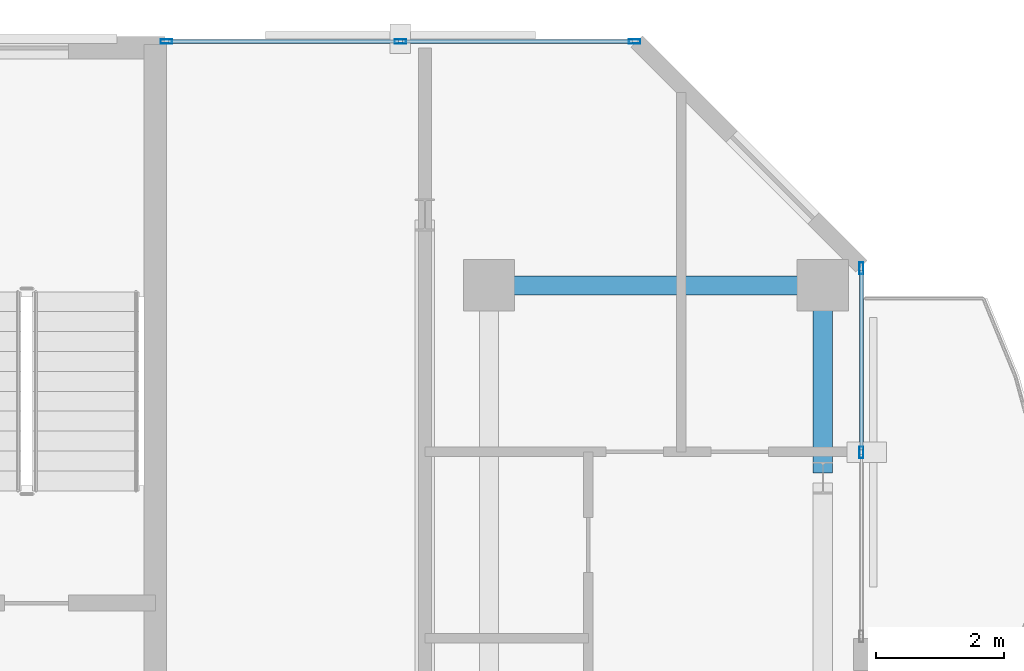
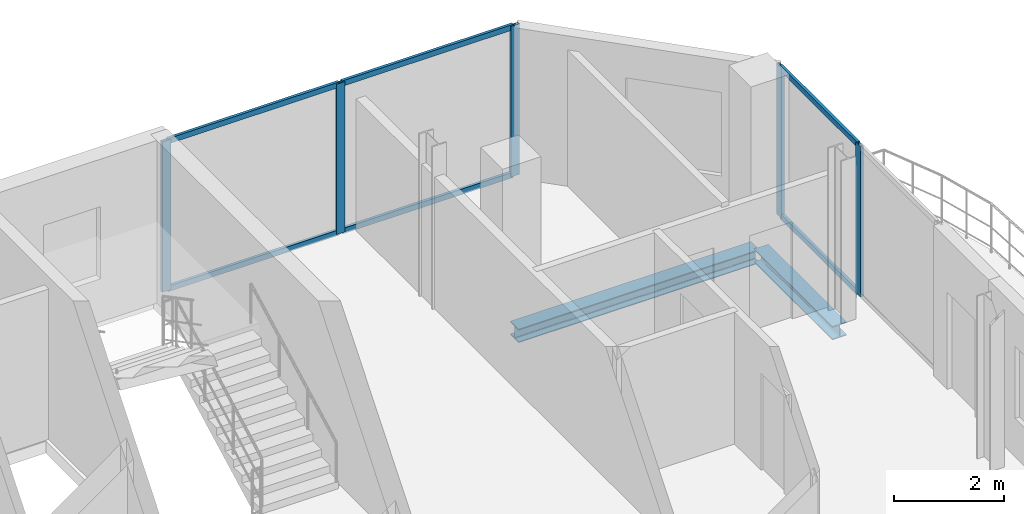
# One storey, part 16 of 23: 11 members, 2 beams, 2 elements without a shape of their own.
"""IFC4 building model written with IfcOpenShell, lengths in metres."""

from ifc_helpers import new_model, si_unit, direction, frame, origin, origin_2d, place, context, subcontext, project, spatial, hollow_rectangle, i_section, extrude, material, layer, layer_set, material_profile, profile_set, type_object, element, aggregate, save


model = new_model("IFC4")

# Units and contexts
model_context = context("Model", 3, precision=1e-05, world=origin(), true_north=direction((0.0, 1.0)))
body_context = subcontext(model_context, "Body", "Model", "MODEL_VIEW")
ifc_project = project(units=[si_unit("LENGTHUNIT", "METRE"), si_unit("AREAUNIT", "SQUARE_METRE"), si_unit("VOLUMEUNIT", "CUBIC_METRE"), si_unit("PLANEANGLEUNIT", "RADIAN"), si_unit("MASSUNIT", "GRAM", prefix="KILO")], contexts=[model_context])

# Site, building, storey
site_placement = place(None, origin())
site = spatial("IfcSite", under=ifc_project, at=site_placement, CompositionType="ELEMENT")
building_placement = place(site_placement, origin())
building = spatial("IfcBuilding", under=site, at=building_placement, Name="Catumbela Crestline Tower", CompositionType="ELEMENT")
storey_placement = place(building_placement, frame((0.0, 0.0, 175.8)))
storey = spatial("IfcBuildingStorey", under=building, at=storey_placement, Name="L45", CompositionType="ELEMENT", Elevation=175.8)

# Curtain wall, members
ifc_material_1 = material(Name="Aluminium alloy AW-6060-T66", Category="aluminium")
ifc_layer = layer(ifc_material_1, 0.18, Name="Aluminium alloy AW-6060-T66")
ifc_layer_set = layer_set([ifc_layer], Name="Aluminium alloy AW-6060-T66")
curtain_wall_type = type_object("IfcCurtainWallType", Name="CWU-Z3", PredefinedType="USERDEFINED", material=ifc_layer_set)
curtain_wall_1_placement = place(storey_placement, origin())
curtain_wall_1 = element("IfcCurtainWall", 1, at=curtain_wall_1_placement, inside=storey, type_object=curtain_wall_type, Name="L45 Unitised Curtain Wall CW-L45-E5S2", ObjectType="UNITISED", PredefinedType="USERDEFINED")
ifc_material_profile_1 = material_profile(ifc_material_1, hollow_rectangle(XDim=0.065, YDim=0.18, WallThickness=0.004, at=origin_2d()), Name="ALU 180x65x4")
ifc_profile_set_1 = profile_set([ifc_material_profile_1], Name="Aluminium alloy AW-6060-T66")
member_type_1 = type_object("IfcMemberType", Name="MUL-180X65", PredefinedType="MULLION", material=ifc_profile_set_1)
member_1_placement = place(storey_placement, frame((51.0, 36.6, 0.0), z_axis=(0.0, 0.0, 1.0), x_axis=(-1.0, 0.0, 0.0)))
member_1 = element("IfcMember", 2, at=member_1_placement, type_object=member_type_1, Name="CWU-Z3 mullion 2", PredefinedType="MULLION", context=body_context, shape_type="SweptSolid", body=[
    extrude(hollow_rectangle(XDim=0.065, YDim=0.18, WallThickness=0.004, at=origin_2d()), origin(), (0.0, 0.0, 1.0), 3.33),
])
member_2_placement = place(storey_placement, frame((51.0, 39.4675, 0.0), z_axis=(0.0, 0.0, 1.0), x_axis=(-1.0, 0.0, 0.0)))
member_2 = element("IfcMember", 3, at=member_2_placement, type_object=member_type_1, Name="CWU-Z3 mullion 3", PredefinedType="MULLION", context=body_context, shape_type="SweptSolid", body=[
    extrude(hollow_rectangle(XDim=0.065, YDim=0.18, WallThickness=0.004, at=origin_2d()), origin(), (0.0, 0.0, 1.0), 3.33),
])

curtain_wall_2_placement = place(storey_placement, origin())
curtain_wall_2 = element("IfcCurtainWall", 4, at=curtain_wall_2_placement, inside=storey, type_object=curtain_wall_type, Name="L45 Unitised Curtain Wall CW-L45-E7S1", ObjectType="UNITISED", PredefinedType="USERDEFINED")
member_3_placement = place(storey_placement, frame((47.4675, 43.0, 0.0), z_axis=(0.0, 0.0, 1.0), x_axis=(0.0, -1.0, 0.0)))
member_3 = element("IfcMember", 5, at=member_3_placement, type_object=member_type_1, Name="CWU-Z3 mullion 1", PredefinedType="MULLION", context=body_context, shape_type="SweptSolid", body=[
    extrude(hollow_rectangle(XDim=0.065, YDim=0.18, WallThickness=0.004, at=origin_2d()), origin(), (0.0, 0.0, 1.0), 3.33),
])
member_4_placement = place(storey_placement, frame((43.82, 43.0, 0.0), z_axis=(0.0, 0.0, 1.0), x_axis=(0.0, -1.0, 0.0)))
member_4 = element("IfcMember", 6, at=member_4_placement, type_object=member_type_1, Name="CWU-Z3 mullion 2", PredefinedType="MULLION", context=body_context, shape_type="SweptSolid", body=[
    extrude(hollow_rectangle(XDim=0.065, YDim=0.18, WallThickness=0.004, at=origin_2d()), origin(), (0.0, 0.0, 1.0), 3.33),
])
member_5_placement = place(storey_placement, frame((40.1725, 43.0, 0.0), z_axis=(0.0, 0.0, 1.0), x_axis=(0.0, -1.0, 0.0)))
member_5 = element("IfcMember", 7, at=member_5_placement, type_object=member_type_1, Name="CWU-Z3 mullion 3", PredefinedType="MULLION", context=body_context, shape_type="SweptSolid", body=[
    extrude(hollow_rectangle(XDim=0.065, YDim=0.18, WallThickness=0.004, at=origin_2d()), origin(), (0.0, 0.0, 1.0), 3.33),
])

# Beams
ifc_material_2 = material(Name="Structural steel S355J2", Category="steel")
ifc_material_profile_2 = material_profile(ifc_material_2, i_section(OverallWidth=0.3, OverallDepth=0.3, WebThickness=0.011, FlangeThickness=0.019, FilletRadius=0.027, at=origin_2d()), Name="HEB 300")
ifc_profile_set_2 = profile_set([ifc_material_profile_2], Name="Structural steel S355J2")
beam_type = type_object("IfcBeamType", Name="BS-HEB300", PredefinedType="SPANDREL", material=ifc_profile_set_2)
beam_1_placement = place(storey_placement, frame((45.28, 39.2, -0.41), z_axis=(1.0, 0.0, 0.0), x_axis=(0.0, 1.0, 0.0)))
element("IfcBeam", 8, at=beam_1_placement, inside=storey, type_object=beam_type, Name="L45 Spandrel SP-L45-N13", PredefinedType="SPANDREL", context=body_context, shape_type="SweptSolid", body=[
    extrude(i_section(OverallWidth=0.3, OverallDepth=0.3, WebThickness=0.011, FlangeThickness=0.019, FilletRadius=0.027, at=origin_2d()), origin(), (0.0, 0.0, 1.0), 5.04),
])
beam_2_placement = place(storey_placement, frame((50.4, 36.28, -0.41), z_axis=(0.0, 1.0, 0.0), x_axis=(-1.0, 0.0, 0.0)))
element("IfcBeam", 9, at=beam_2_placement, inside=storey, type_object=beam_type, Name="L45 Spandrel SP-L45-SN25", PredefinedType="SPANDREL", context=body_context, shape_type="SweptSolid", body=[
    extrude(i_section(OverallWidth=0.3, OverallDepth=0.3, WebThickness=0.011, FlangeThickness=0.019, FilletRadius=0.027, at=origin_2d()), origin(), (0.0, 0.0, 1.0), 2.84),
])

# Member
ifc_material_profile_3 = material_profile(ifc_material_1, hollow_rectangle(XDim=0.06, YDim=0.12, WallThickness=0.0035, at=origin_2d()), Name="ALU 120x60x3.5")
ifc_profile_set_3 = profile_set([ifc_material_profile_3], Name="Aluminium alloy AW-6060-T66")
member_type_2 = type_object("IfcMemberType", Name="TRN-120X60", PredefinedType="USERDEFINED", material=ifc_profile_set_3)
member_6_placement = place(storey_placement, frame((51.0, 36.6325, 0.03), z_axis=(0.0, 1.0, 0.0), x_axis=(-1.0, 0.0, 0.0)))
member_6 = element("IfcMember", 10, at=member_6_placement, type_object=member_type_2, Name="CWU-Z3 transom 2.1", ObjectType="TRANSOM", PredefinedType="USERDEFINED", context=body_context, shape_type="SweptSolid", body=[
    extrude(hollow_rectangle(XDim=0.06, YDim=0.12, WallThickness=0.0035, at=origin_2d()), origin(), (0.0, 0.0, 1.0), 2.8025),
])

member_7_placement = place(storey_placement, frame((51.0, 36.6325, 3.3), z_axis=(0.0, 1.0, 0.0), x_axis=(-1.0, 0.0, 0.0)))
member_7 = element("IfcMember", 11, at=member_7_placement, type_object=member_type_2, Name="CWU-Z3 transom 2.2", ObjectType="TRANSOM", PredefinedType="USERDEFINED", context=body_context, shape_type="SweptSolid", body=[
    extrude(hollow_rectangle(XDim=0.06, YDim=0.12, WallThickness=0.0035, at=origin_2d()), origin(), (0.0, 0.0, 1.0), 2.8025),
])

aggregate(curtain_wall_1, [member_1, member_2, member_6, member_7])

member_8_placement = place(storey_placement, frame((47.435, 43.0, 0.03), z_axis=(-1.0, 0.0, 0.0), x_axis=(0.0, -1.0, 0.0)))
member_8 = element("IfcMember", 12, at=member_8_placement, type_object=member_type_2, Name="CWU-Z3 transom 1.1", ObjectType="TRANSOM", PredefinedType="USERDEFINED", context=body_context, shape_type="SweptSolid", body=[
    extrude(hollow_rectangle(XDim=0.06, YDim=0.12, WallThickness=0.0035, at=origin_2d()), origin(), (0.0, 0.0, 1.0), 3.5825),
])

member_9_placement = place(storey_placement, frame((47.435, 43.0, 3.3), z_axis=(-1.0, 0.0, 0.0), x_axis=(0.0, -1.0, 0.0)))
member_9 = element("IfcMember", 13, at=member_9_placement, type_object=member_type_2, Name="CWU-Z3 transom 1.2", ObjectType="TRANSOM", PredefinedType="USERDEFINED", context=body_context, shape_type="SweptSolid", body=[
    extrude(hollow_rectangle(XDim=0.06, YDim=0.12, WallThickness=0.0035, at=origin_2d()), origin(), (0.0, 0.0, 1.0), 3.5825),
])

member_10_placement = place(storey_placement, frame((43.7875, 43.0, 0.03), z_axis=(-1.0, 0.0, 0.0), x_axis=(0.0, -1.0, 0.0)))
member_10 = element("IfcMember", 14, at=member_10_placement, type_object=member_type_2, Name="CWU-Z3 transom 2.1", ObjectType="TRANSOM", PredefinedType="USERDEFINED", context=body_context, shape_type="SweptSolid", body=[
    extrude(hollow_rectangle(XDim=0.06, YDim=0.12, WallThickness=0.0035, at=origin_2d()), origin(), (0.0, 0.0, 1.0), 3.5825),
])

member_11_placement = place(storey_placement, frame((43.7875, 43.0, 3.3), z_axis=(-1.0, 0.0, 0.0), x_axis=(0.0, -1.0, 0.0)))
member_11 = element("IfcMember", 15, at=member_11_placement, type_object=member_type_2, Name="CWU-Z3 transom 2.2", ObjectType="TRANSOM", PredefinedType="USERDEFINED", context=body_context, shape_type="SweptSolid", body=[
    extrude(hollow_rectangle(XDim=0.06, YDim=0.12, WallThickness=0.0035, at=origin_2d()), origin(), (0.0, 0.0, 1.0), 3.5825),
])

aggregate(curtain_wall_2, [member_3, member_4, member_5, member_8, member_9, member_10, member_11])

save(model, "model.ifc")
